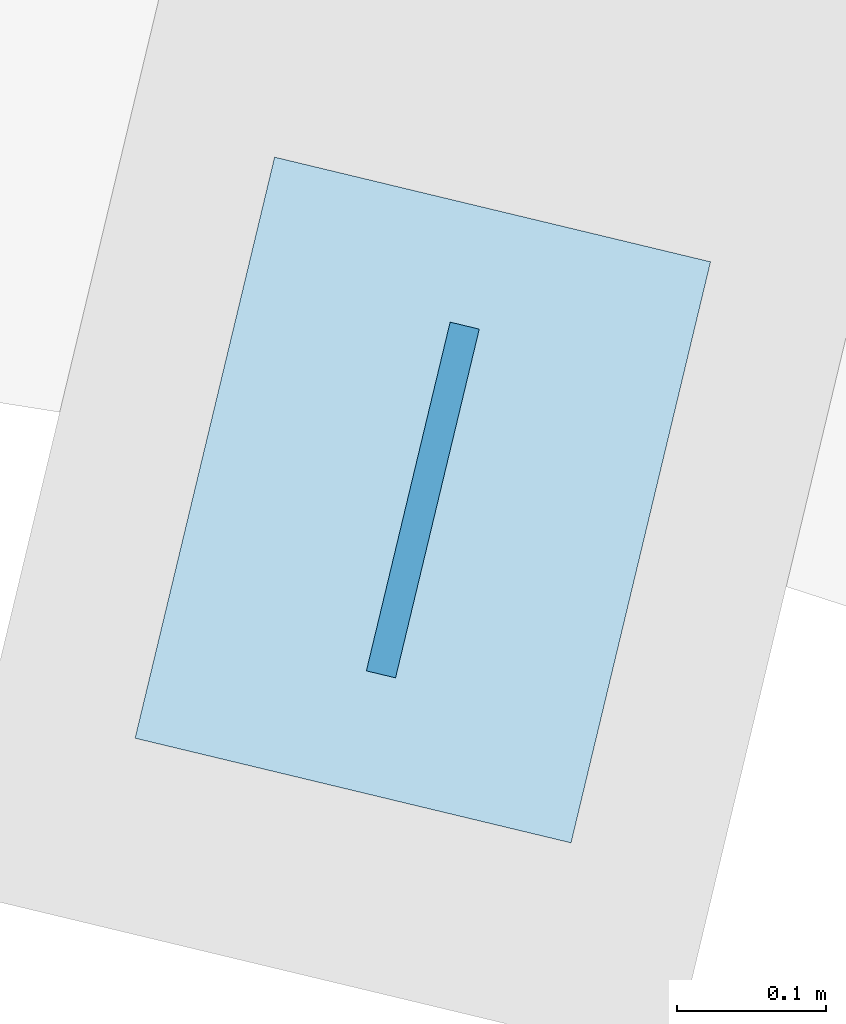
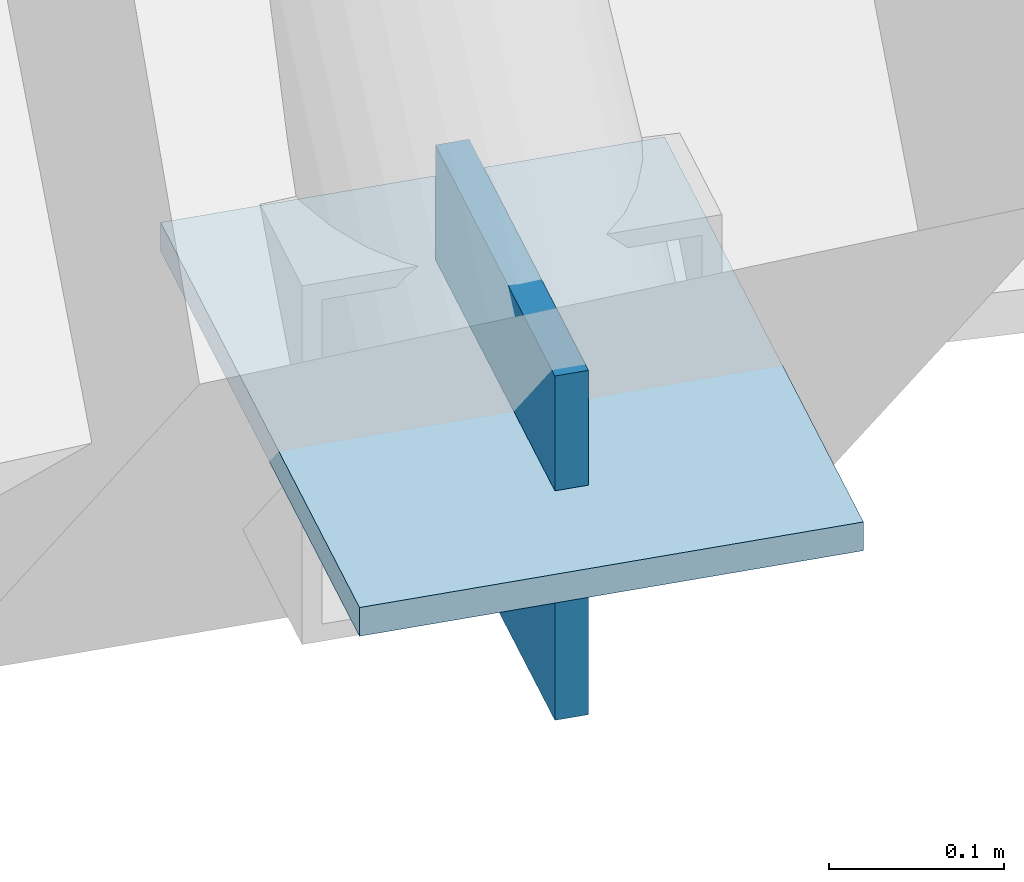
# One storey, part 23 of 34: 2 plates.
"""IFC4 building model written with IfcOpenShell, lengths in metres."""

from ifc_helpers import new_model, si_unit, direction, frame, origin, origin_2d, place, context, subcontext, project, spatial, rectangle, extrude, material, layer, layer_set, type_object, element, save


model = new_model("IFC4")

# Units and contexts
model_context = context("Model", 3, precision=1e-05, world=origin(), true_north=direction((0.0, 1.0)))
body_context = subcontext(model_context, "Body", "Model", "MODEL_VIEW")
ifc_project = project(units=[si_unit("LENGTHUNIT", "METRE"), si_unit("AREAUNIT", "SQUARE_METRE"), si_unit("VOLUMEUNIT", "CUBIC_METRE"), si_unit("PLANEANGLEUNIT", "RADIAN"), si_unit("MASSUNIT", "GRAM", prefix="KILO")], contexts=[model_context])

# Site, building, storey
site_placement = place(None, origin())
site = spatial("IfcSite", under=ifc_project, at=site_placement, CompositionType="ELEMENT")
building_placement = place(site_placement, origin())
building = spatial("IfcBuilding", under=site, at=building_placement, Name="Miralva Faculty of Natural Sciences", CompositionType="ELEMENT")
storey_placement = place(building_placement, frame((0.0, 0.0, 24.0)))
storey = spatial("IfcBuildingStorey", under=building, at=storey_placement, Name="L05", CompositionType="ELEMENT", Elevation=24.0)

# Plates
ifc_material = material(Name="Steel S355", Category="steel")
ifc_layer_1 = layer(ifc_material, 0.02490234375, Name="PLT-BP02")
ifc_layer_set_1 = layer_set([ifc_layer_1], Name="Steel S355")
plate_type_1 = type_object("IfcPlateType", Name="PLT-BP02", PredefinedType="SHEET", material=ifc_layer_set_1)
plate_1_placement = place(storey_placement, frame((98.170654296875, 13.032958984375, -0.16015625), z_axis=(0.0, 0.0, 1.0), x_axis=(0.233445363856, 0.972369920398, 0.0)))
element("IfcPlate", 1, at=plate_1_placement, inside=storey, type_object=plate_type_1, Name="Shell truss diagonal gusset plate 06-1", PredefinedType="SHEET", context=body_context, shape_type="SweptSolid", body=[
    extrude(rectangle(XDim=0.239990234375, YDim=0.02001953125, at=origin_2d()), origin(), (0.0, 0.0, 1.0), 0.239990234375),
])
ifc_layer_2 = layer(ifc_material, 0.02001953125, Name="PLT-BP03")
ifc_layer_set_2 = layer_set([ifc_layer_2], Name="Steel S355")
plate_type_2 = type_object("IfcPlateType", Name="PLT-BP03", PredefinedType="SHEET", material=ifc_layer_set_2)
plate_2_placement = place(storey_placement, frame((98.170654296875, 13.032958984375, -0.02001953125), z_axis=(0.0, 0.0, 1.0), x_axis=(0.233445363856, 0.972369920398, 0.0)))
element("IfcPlate", 2, at=plate_2_placement, inside=storey, type_object=plate_type_2, Name="Shell springing bearing plate EB-06-IN", PredefinedType="SHEET", context=body_context, shape_type="SweptSolid", body=[
    extrude(rectangle(XDim=0.39990234375, YDim=0.300048828125, at=origin_2d()), origin(), (0.0, 0.0, 1.0), 0.02001953125),
])

save(model, "model.ifc")
